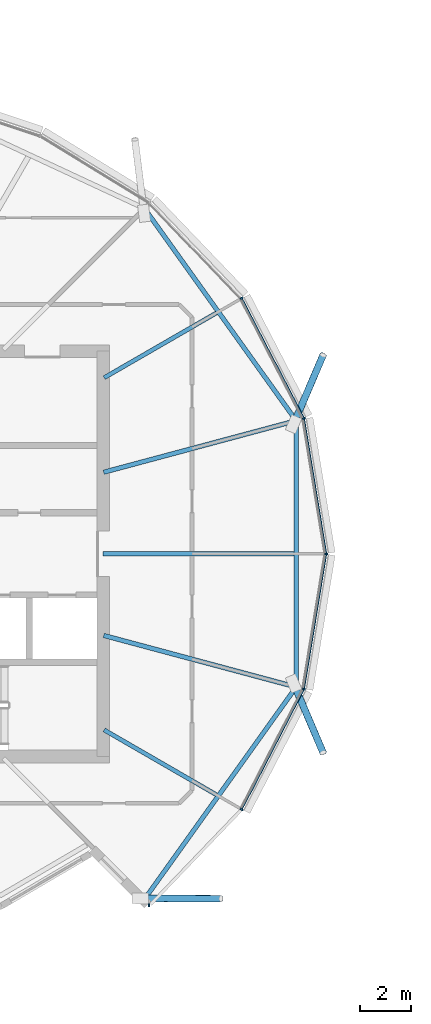
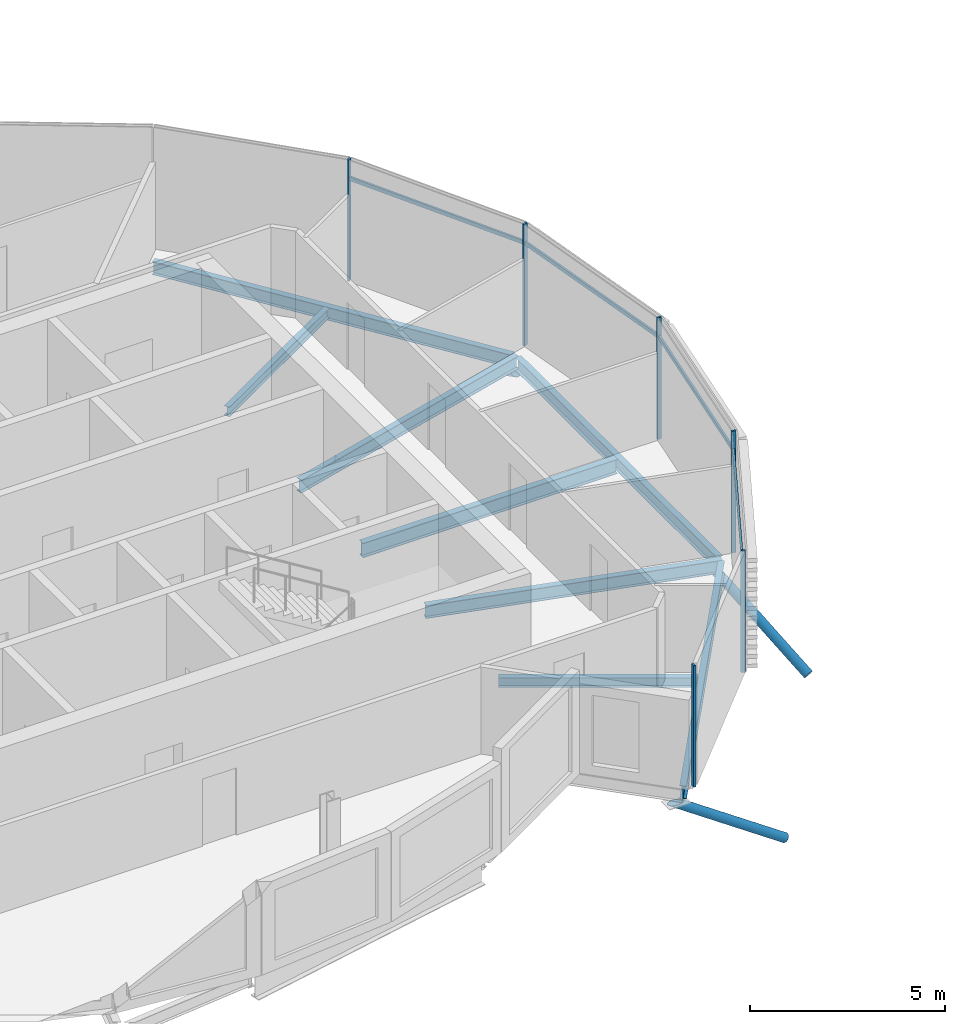
# One storey, part 7 of 35: 13 members, 8 beams, 1 element without a shape of its own.
"""IFC4 building model written with IfcOpenShell, lengths in metres."""

import ifcopenshell
import ifcopenshell.guid

model = None  # the IFC model being written
_history = None  # IfcOwnerHistory: only IFC2X3 demands one
_inside = {}  # id of a spatial element -> (the spatial element, [elements in it])
_under = {}  # id of a project, library or spatial element -> (it, [spatial elements below it])
_declared = {}  # id of a project -> (the project, [libraries it declares])
_typed = {}  # id of a type object -> (the type object, [elements of that type])
_made_of = {}  # id of a material, layer set ... -> (it, [elements and type objects made of it])


def new_model(schema):
    """Start an empty IFC model of exactly this schema.

    Asked for "IFC4X3", IfcOpenShell would pick the latest addendum, in which some entities
    have other attributes; the version numbers below select the first issue.
    IFC2X3 requires an IfcOwnerHistory on every rooted entity: one is made here for all.
    """
    global model, _history
    if schema == "IFC4X3":
        model = ifcopenshell.file(schema_version=(4, 3, 0, 0))
    else:
        model = ifcopenshell.file(schema=schema)
    _inside.clear()
    _under.clear()
    _declared.clear()
    _typed.clear()
    _made_of.clear()
    _history = None
    if model.schema == "IFC2X3":
        org = make("IfcOrganization", Name="unknown")
        user = make(
            "IfcPersonAndOrganization",
            ThePerson=make("IfcPerson", FamilyName="unknown"),
            TheOrganization=org,
        )
        app = make(
            "IfcApplication",
            ApplicationDeveloper=org,
            Version="unknown",
            ApplicationFullName="unknown",
            ApplicationIdentifier="unknown",
        )
        _history = make(
            "IfcOwnerHistory",
            OwningUser=user,
            OwningApplication=app,
            ChangeAction="ADDED",
            CreationDate=0,
        )
    return model


def make(cls, **values):
    """One entity of the class cls with the attributes given. An attribute that is None is left unset."""
    return model.create_entity(
        cls, **{name: value for name, value in values.items() if value is not None}
    )


def rooted(cls, **values):
    """An entity with a GlobalId (a new one), such as an element, a storey or a relation."""
    return make(cls, GlobalId=ifcopenshell.guid.new(), OwnerHistory=_history, **values)


def si_unit(unit_type, name, prefix=None):
    """IfcSIUnit, for example si_unit("LENGTHUNIT", "METRE", prefix="MILLI")."""
    return make("IfcSIUnit", UnitType=unit_type, Prefix=prefix, Name=name)


def assignment(units):
    """IfcUnitAssignment: the units of a project."""
    return None if units is None else make("IfcUnitAssignment", Units=units)


def point(xyz):
    """IfcCartesianPoint."""
    return None if xyz is None else make("IfcCartesianPoint", Coordinates=xyz)


def direction(xyz):
    """IfcDirection."""
    return None if xyz is None else make("IfcDirection", DirectionRatios=xyz)


def frame(location, z_axis=None, x_axis=None):
    """IfcAxis2Placement3D, a coordinate frame: its origin and axes. An axis left out is left unset."""
    return make(
        "IfcAxis2Placement3D",
        Location=point(location),
        Axis=direction(z_axis),
        RefDirection=direction(x_axis),
    )


def frame_2d(location, x_axis=None):
    """IfcAxis2Placement2D, a coordinate frame in the plane: its origin and x axis."""
    return make(
        "IfcAxis2Placement2D", Location=point(location), RefDirection=direction(x_axis)
    )


def origin():
    """The frame at (0, 0, 0) with its axes left unset."""
    return frame((0.0, 0.0, 0.0))


def origin_2d():
    """The frame at (0, 0) in the plane with its x axis left unset."""
    return frame_2d((0.0, 0.0))


def place(relative_to, where):
    """IfcLocalPlacement: puts the frame where relative to a parent placement (None: the world)."""
    return make(
        "IfcLocalPlacement", PlacementRelTo=relative_to, RelativePlacement=where
    )


def context(
    kind, dimensions, precision=None, world=None, true_north=None, identifier=None
):
    """IfcGeometricRepresentationContext, for example the 3D "Model" context."""
    return make(
        "IfcGeometricRepresentationContext",
        ContextIdentifier=identifier,
        ContextType=kind,
        CoordinateSpaceDimension=dimensions,
        Precision=precision,
        WorldCoordinateSystem=world,
        TrueNorth=true_north,
    )


def subcontext(parent, identifier, kind, view, scale=None):
    """IfcGeometricRepresentationSubContext, for example "Body" below "Model"."""
    return make(
        "IfcGeometricRepresentationSubContext",
        ContextIdentifier=identifier,
        ContextType=kind,
        ParentContext=parent,
        TargetScale=scale,
        TargetView=view,
    )


def project(units=None, contexts=None):
    """IfcProject with its units and contexts."""
    return rooted(
        "IfcProject",
        Name="project",
        RepresentationContexts=contexts,
        UnitsInContext=assignment(units),
    )


def spatial(cls, under=None, at=None, **own):
    """A site, building, storey or space (cls), placed at a placement, below another one or the project."""
    s = rooted(cls, ObjectPlacement=at, **own)
    if under is not None:
        _under.setdefault(under.id(), (under, []))[1].append(s)
    return s


def profile(cls, at=None, kind="AREA", **sizes):
    """A parametric profile (cls). Its sizes go by their IFC names, for example OverallWidth=200.0."""
    return make(cls, ProfileType=kind, Position=at, **sizes)


def rectangle(**sizes):
    """IfcRectangleProfileDef."""
    return profile("IfcRectangleProfileDef", **sizes)


def hollow_circle(**sizes):
    """IfcCircleHollowProfileDef."""
    return profile("IfcCircleHollowProfileDef", **sizes)


def i_section(**sizes):
    """IfcIShapeProfileDef."""
    return profile("IfcIShapeProfileDef", **sizes)


def extrude(swept, where, along, depth):
    """IfcExtrudedAreaSolid: the profile swept, set in the frame where, extruded along a direction by depth."""
    return make(
        "IfcExtrudedAreaSolid",
        SweptArea=swept,
        Position=where,
        ExtrudedDirection=direction(along),
        Depth=depth,
    )


def clip(a, b, op="DIFFERENCE"):
    """IfcBooleanClippingResult: the solid a cut by the half space b."""
    return make(
        "IfcBooleanClippingResult", Operator=op, FirstOperand=a, SecondOperand=b
    )


def halfspace(plane, agree):
    """IfcHalfSpaceSolid: all space on one side of the plane z = 0 of the frame plane."""
    return make(
        "IfcHalfSpaceSolid",
        BaseSurface=make("IfcPlane", Position=plane),
        AgreementFlag=agree,
    )


def shape(context_of_items, identifier, shape_type, items):
    """IfcShapeRepresentation: the items that make up one representation, for example the "Body"."""
    return make(
        "IfcShapeRepresentation",
        ContextOfItems=context_of_items,
        RepresentationIdentifier=identifier,
        RepresentationType=shape_type,
        Items=items,
    )


def material(Name=None, Category=None):
    """IfcMaterial."""
    return make("IfcMaterial", Name=Name, Category=Category)


def material_profile(
    of_material, cross_section, Name=None, Category=None, Priority=None
):
    """IfcMaterialProfile: a cross section and its material."""
    return make(
        "IfcMaterialProfile",
        Name=Name,
        Material=of_material,
        Profile=cross_section,
        Priority=Priority,
        Category=Category,
    )


def profile_set(profiles, Name=None, composite=None):
    """IfcMaterialProfileSet."""
    return make(
        "IfcMaterialProfileSet",
        Name=Name,
        MaterialProfiles=profiles,
        CompositeProfile=composite,
    )


def made_of(thing, what):
    """Note that an element or type object is made of a material, layer set ...; save() writes the relation."""
    if what is not None:
        _made_of.setdefault(what.id(), (what, []))[1].append(thing)
    return thing


def type_object(cls, material=None, **own):
    """A type object (cls), such as IfcWallType, which elements share."""
    return made_of(rooted(cls, **own), material)


def element(
    cls,
    number,
    at=None,
    inside=None,
    cuts=None,
    type_object=None,
    material=None,
    context=None,
    identifier="Body",
    shape_type=None,
    held_by="IfcProductDefinitionShape",
    body=None,
    shapes=None,
    **own,
):
    """One element of the class cls, such as IfcWall. Its Tag is "e" and its number.

    at: its placement. inside: the storey or other place that contains it. cuts: it is an
    opening in that element (IfcRelVoidsElement). A single representation is given by context,
    identifier, shape_type and body (its items); several are given by shapes. held_by: the class
    of the entity that holds the representations. save() writes the other relations.
    """
    e = rooted(cls, Tag="e%d" % number, ObjectPlacement=at, **own)
    if body is not None:
        shapes = [shape(context, identifier, shape_type, body)]
    if shapes is not None:
        e.Representation = make(held_by, Representations=shapes)
    if inside is not None:
        _inside.setdefault(inside.id(), (inside, []))[1].append(e)
    if cuts is not None:
        rooted(
            "IfcRelVoidsElement", RelatingBuildingElement=cuts, RelatedOpeningElement=e
        )
    if type_object is not None:
        _typed.setdefault(type_object.id(), (type_object, []))[1].append(e)
    return made_of(e, material)


def aggregate(whole, parts):
    """IfcRelAggregates: a whole, such as a stair, and the parts it consists of."""
    return rooted("IfcRelAggregates", RelatingObject=whole, RelatedObjects=parts)


def save(model, path):
    """Write the relations noted so far, then the file.

    IfcRelAggregates (storeys below a building ...), IfcRelContainedInSpatialStructure (elements
    in a storey), IfcRelDefinesByType, IfcRelAssociatesMaterial and IfcRelDeclares: one each for
    every whole, place, type object, material and project.
    """
    for whole, parts in _under.values():
        aggregate(whole, parts)
    for where, things in _inside.values():
        rooted(
            "IfcRelContainedInSpatialStructure",
            RelatedElements=things,
            RelatingStructure=where,
        )
    for kind, things in _typed.values():
        rooted("IfcRelDefinesByType", RelatedObjects=things, RelatingType=kind)
    for what, things in _made_of.values():
        rooted("IfcRelAssociatesMaterial", RelatedObjects=things, RelatingMaterial=what)
    for by, libraries in _declared.values():
        rooted("IfcRelDeclares", RelatingContext=by, RelatedDefinitions=libraries)
    model.write(path)


model = new_model("IFC4")

# Units and contexts
model_context = context("Model", 3, precision=1e-05, world=origin(), true_north=direction((0.0, 1.0)))
body_context = subcontext(model_context, "Body", "Model", "MODEL_VIEW")
ifc_project = project(units=[si_unit("LENGTHUNIT", "METRE"), si_unit("AREAUNIT", "SQUARE_METRE"), si_unit("VOLUMEUNIT", "CUBIC_METRE"), si_unit("PLANEANGLEUNIT", "RADIAN"), si_unit("MASSUNIT", "GRAM", prefix="KILO")], contexts=[model_context])

# Site, building, storey
site_placement = place(None, origin())
site = spatial("IfcSite", under=ifc_project, at=site_placement, CompositionType="ELEMENT")
building_placement = place(site_placement, origin())
building = spatial("IfcBuilding", under=site, at=building_placement, Name="Rimbun Link Towers", CompositionType="ELEMENT")
storey_placement = place(building_placement, frame((0.0, 0.0, 229.5)))
storey = spatial("IfcBuildingStorey", under=building, at=storey_placement, Name="L56", CompositionType="ELEMENT", Elevation=229.5)

# Curtain wall, members
ifc_material_1 = material(Name="Aluminium 6063-T6 and low-iron glass", Category="aluminium")
curtain_wall_type = type_object("IfcCurtainWallType", Name="CW1-Z4 unitised vision wall (zone 4)", PredefinedType="NOTDEFINED", material=ifc_material_1)
curtain_wall_placement = place(storey_placement, origin())
curtain_wall = element("IfcCurtainWall", 1, at=curtain_wall_placement, inside=storey, type_object=curtain_wall_type, Name="CW1 L56 T1", PredefinedType="NOTDEFINED")
ifc_material_2 = material(Name="Aluminium 6063-T6", Category="aluminium")
ifc_material_profile_1 = material_profile(ifc_material_2, rectangle(XDim=0.1201171875, YDim=0.06005859375, at=origin_2d()), Name="MULLION 60X120")
ifc_profile_set_1 = profile_set([ifc_material_profile_1], Name="Aluminium 6063-T6")
member_type_1 = type_object("IfcMemberType", Name="CW1 mullion 60X120", PredefinedType="MULLION", material=ifc_profile_set_1)
member_1_placement = place(storey_placement, frame((-11.82568359375, 5.34228515625, 0.0), z_axis=(0.0, 0.0, 1.0), x_axis=(0.949161267269, 0.314790229704, 0.0)))
member_1 = element("IfcMember", 2, at=member_1_placement, type_object=member_type_1, Name="CW1 mullion", PredefinedType="MULLION", context=body_context, shape_type="SweptSolid", body=[
    extrude(rectangle(XDim=0.1201171875, YDim=0.06005859375, at=origin_2d()), origin(), (0.0, 0.0, 1.0), 3.800048828125),
])
member_2_placement = place(storey_placement, frame((-10.947265625, 0.0, 0.0), z_axis=(0.0, 0.0, 1.0), x_axis=(1.0, 0.0, 0.0)))
member_2 = element("IfcMember", 3, at=member_2_placement, type_object=member_type_1, Name="CW1 mullion", PredefinedType="MULLION", context=body_context, shape_type="SweptSolid", body=[
    extrude(rectangle(XDim=0.1201171875, YDim=0.06005859375, at=origin_2d()), origin(), (0.0, 0.0, 1.0), 3.800048828125),
])
member_3_placement = place(storey_placement, frame((-14.282958984375, 10.09130859375, 0.0), z_axis=(0.0, 0.0, 1.0), x_axis=(0.813353544339, 0.581769724128, 0.0)))
member_3 = element("IfcMember", 4, at=member_3_placement, type_object=member_type_1, Name="CW1 mullion", PredefinedType="MULLION", context=body_context, shape_type="SweptSolid", body=[
    extrude(rectangle(XDim=0.1201171875, YDim=0.06005859375, at=origin_2d()), origin(), (0.0, 0.0, 1.0), 3.800048828125),
])
member_4_placement = place(storey_placement, frame((-14.282958984375, -10.09130859375, 0.0), z_axis=(0.0, 0.0, 1.0), x_axis=(0.813353544339, -0.581769724128, 0.0)))
member_4 = element("IfcMember", 5, at=member_4_placement, type_object=member_type_1, Name="CW1 mullion", PredefinedType="MULLION", context=body_context, shape_type="SweptSolid", body=[
    extrude(rectangle(XDim=0.1201171875, YDim=0.06005859375, at=origin_2d()), origin(), (0.0, 0.0, 1.0), 3.800048828125),
])
member_5_placement = place(storey_placement, frame((-17.934326171875, -13.875, 0.0), z_axis=(0.0, 0.0, 1.0), x_axis=(0.010539144017, -0.999944461679, 0.0)))
member_5 = element("IfcMember", 6, at=member_5_placement, type_object=member_type_1, Name="CW1 mullion", PredefinedType="MULLION", context=body_context, shape_type="SweptSolid", body=[
    extrude(rectangle(XDim=0.1201171875, YDim=0.06005859375, at=origin_2d()), origin(), (0.0, 0.0, 1.0), 3.800048828125),
])
member_6_placement = place(storey_placement, frame((-11.82568359375, -5.34228515625, 0.0), z_axis=(0.0, 0.0, 1.0), x_axis=(0.949161267269, -0.314790229704, 0.0)))
member_6 = element("IfcMember", 7, at=member_6_placement, type_object=member_type_1, Name="CW1 mullion", PredefinedType="MULLION", context=body_context, shape_type="SweptSolid", body=[
    extrude(rectangle(XDim=0.1201171875, YDim=0.06005859375, at=origin_2d()), origin(), (0.0, 0.0, 1.0), 3.800048828125),
])
ifc_material_3 = material(Name="Aluminium 6063-T6", Category="aluminium")
ifc_material_profile_2 = material_profile(ifc_material_3, rectangle(XDim=0.06005859375, YDim=0.1201171875, at=origin_2d()), Name="TRANSOM 60X120")
ifc_profile_set_2 = profile_set([ifc_material_profile_2], Name="Aluminium 6063-T6")
member_type_2 = type_object("IfcMemberType", Name="CW1 transom 60X120", PredefinedType="USERDEFINED", material=ifc_profile_set_2)
member_7_placement = place(storey_placement, frame((-11.820556640625, 5.30322265625, 3.199951171875), z_axis=(0.162276185326, -0.986745377327, 0.0), x_axis=(0.986745377327, 0.162276185326, 0.0)))
member_7 = element("IfcMember", 8, at=member_7_placement, type_object=member_type_2, Name="CW1 transom", ObjectType="TRANSOM", PredefinedType="USERDEFINED", context=body_context, shape_type="SweptSolid", body=[
    extrude(rectangle(XDim=0.06005859375, YDim=0.1201171875, at=origin_2d()), origin(), (0.0, 0.0, 1.0), 5.3349609375),
])
member_8_placement = place(storey_placement, frame((-14.266357421875, 10.056396484375, 3.199951171875), z_axis=(0.459551487433, -0.888151130381, 0.0), x_axis=(0.888151130381, 0.459551487433, 0.0)))
member_8 = element("IfcMember", 9, at=member_8_placement, type_object=member_type_2, Name="CW1 transom", ObjectType="TRANSOM", PredefinedType="USERDEFINED", context=body_context, shape_type="SweptSolid", body=[
    extrude(rectangle(XDim=0.06005859375, YDim=0.1201171875, at=origin_2d()), origin(), (0.0, 0.0, 1.0), 5.26904296875),
])
member_9_placement = place(storey_placement, frame((-11.844970703125, -5.376708984375, 3.199951171875), z_axis=(-0.459551487433, -0.888151130381, 0.0), x_axis=(0.888151130381, -0.459551487433, 0.0)))
member_9 = element("IfcMember", 10, at=member_9_placement, type_object=member_type_2, Name="CW1 transom", ObjectType="TRANSOM", PredefinedType="USERDEFINED", context=body_context, shape_type="SweptSolid", body=[
    extrude(rectangle(XDim=0.06005859375, YDim=0.1201171875, at=origin_2d()), origin(), (0.0, 0.0, 1.0), 5.26904296875),
])
member_10_placement = place(storey_placement, frame((-10.954833984375, -0.0390625, 3.199951171875), z_axis=(-0.162276185326, -0.986745377327, 0.0), x_axis=(0.986745377327, -0.162276185326, 0.0)))
member_10 = element("IfcMember", 11, at=member_10_placement, type_object=member_type_2, Name="CW1 transom", ObjectType="TRANSOM", PredefinedType="USERDEFINED", context=body_context, shape_type="SweptSolid", body=[
    extrude(rectangle(XDim=0.06005859375, YDim=0.1201171875, at=origin_2d()), origin(), (0.0, 0.0, 1.0), 5.3349609375),
])
aggregate(curtain_wall, [member_1, member_2, member_3, member_4, member_5, member_6, member_7, member_8, member_9, member_10])

# Members
ifc_material_4 = material(Name="Steel S355J2H", Category="steel")
ifc_material_profile_3 = material_profile(ifc_material_4, hollow_circle(Radius=0.136474609375, WallThickness=0.012451171875, at=origin_2d()), Name="CHS 273x12.5")
ifc_profile_set_3 = profile_set([ifc_material_profile_3], Name="Steel S355J2H")
member_type_3 = type_object("IfcMemberType", Name="Floor edge link CHS 273x12.5", PredefinedType="BRACE", material=ifc_profile_set_3)
member_11_placement = place(storey_placement, frame((-12.17822265625, 5.244140625, -0.65966796875), z_axis=(0.326126293426, 0.762553718451, -0.558706960054), x_axis=(-0.91944269556, 0.393224019588, 0.0)))
element("IfcMember", 12, at=member_11_placement, inside=storey, type_object=member_type_3, Name="Floor edge link T1 L56 01", PredefinedType="BRACE", context=body_context, shape_type="Clipping", body=[
    clip(extrude(hollow_circle(Radius=0.136474609375, WallThickness=0.012451171875, at=origin_2d()), frame((0.0, 0.0, -0.423095703125)), (0.0, 0.0, 1.0), 3.84716796875), halfspace(frame((0.0, 0.0, -0.19921875), z_axis=(0.0, 0.829365138396, -0.558706960054)), False)),
])
member_12_placement = place(storey_placement, frame((-18.152099609375, -13.597900390625, -0.658935546875), z_axis=(0.823591851512, -0.004853145167, -0.567162154155), x_axis=(0.005892555763, 0.999982638743, 0.0)))
element("IfcMember", 13, at=member_12_placement, inside=storey, type_object=member_type_3, Name="Floor edge link T1 L56 21", PredefinedType="BRACE", context=body_context, shape_type="Clipping", body=[
    clip(extrude(hollow_circle(Radius=0.136474609375, WallThickness=0.012451171875, at=origin_2d()), frame((0.0, 0.0, -0.4140625)), (0.0, 0.0, 1.0), 4.13671875), halfspace(frame((0.0, 0.0, -0.19482421875), z_axis=(0.0, 0.82360615035, -0.567162154155)), False)),
])
member_13_placement = place(storey_placement, frame((-12.17822265625, -5.244140625, -0.65966796875), z_axis=(0.326126293426, -0.762553718451, -0.558706960054), x_axis=(0.91944269556, 0.393224019588, 0.0)))
element("IfcMember", 14, at=member_13_placement, inside=storey, type_object=member_type_3, Name="Floor edge link T1 L56 23", PredefinedType="BRACE", context=body_context, shape_type="Clipping", body=[
    clip(extrude(hollow_circle(Radius=0.136474609375, WallThickness=0.012451171875, at=origin_2d()), frame((0.0, 0.0, -0.423095703125)), (0.0, 0.0, 1.0), 3.84716796875), halfspace(frame((0.0, 0.0, -0.19921875), z_axis=(0.0, 0.829365138396, -0.558706960054)), False)),
])

# Beams
ifc_material_5 = material(Name="Steel S355J2", Category="steel")
ifc_material_profile_4 = material_profile(ifc_material_5, i_section(OverallWidth=0.1650390625, OverallDepth=0.303466796875, WebThickness=0.006103515625, FlangeThickness=0.01025390625, at=origin_2d()), Name="UB 305x165x40")
ifc_profile_set_4 = profile_set([ifc_material_profile_4], Name="Steel S355J2")
beam_type_1 = type_object("IfcBeamType", Name="UB 305x165x40", PredefinedType="BEAM", material=ifc_profile_set_4)
for number, where, z_axis, x_axis, name in (
    (15, (-19.7080078125, 6.952392578125, -0.291748046875), (0.866016235635, 0.500015879365, 0.0), (-0.500015879365, 0.866016235635, 0.0), "Radial beam T1 L56 02"),
    (16, (-19.7080078125, -6.952392578125, -0.291748046875), (0.866016235635, -0.500015879365, 0.0), (0.500015879365, 0.866016235635, 0.0), "Radial beam T1 L56 22"),
):
    element("IfcBeam", number, at=place(storey_placement, frame(where, z_axis=z_axis, x_axis=x_axis)), inside=storey, type_object=beam_type_1, Name=name, PredefinedType="BEAM", context=body_context, shape_type="SweptSolid", body=[
        extrude(i_section(OverallWidth=0.1650390625, OverallDepth=0.303466796875, WebThickness=0.006103515625, FlangeThickness=0.01025390625, at=origin_2d()), origin(), (0.0, 0.0, 1.0), 5.113525390625),
    ])
ifc_material_6 = material(Name="Steel S355J2", Category="steel")
ifc_material_profile_5 = material_profile(ifc_material_6, i_section(OverallWidth=0.177978515625, OverallDepth=0.406494140625, WebThickness=0.0078125, FlangeThickness=0.0126953125, at=origin_2d()), Name="UB 406x178x60")
ifc_profile_set_5 = profile_set([ifc_material_profile_5], Name="Steel S355J2")
beam_type_2 = type_object("IfcBeamType", Name="UB 406x178x60", PredefinedType="BEAM", material=ifc_profile_set_5)
for number, where, z_axis, x_axis, name in (
    (17, (-19.72607421875, 3.2216796875, -0.34326171875), (0.965925602559, 0.258819880071, 0.0), (-0.258819880071, 0.965925602559, 0.0), "Radial beam T1 L56 01"),
    (18, (-19.72607421875, -3.2216796875, -0.34326171875), (0.965925602559, -0.258819880071, 0.0), (0.258819880071, 0.965925602559, 0.0), "Radial beam T1 L56 23"),
):
    element("IfcBeam", number, at=place(storey_placement, frame(where, z_axis=z_axis, x_axis=x_axis)), inside=storey, type_object=beam_type_2, Name=name, PredefinedType="BEAM", context=body_context, shape_type="SweptSolid", body=[
        extrude(i_section(OverallWidth=0.177978515625, OverallDepth=0.406494140625, WebThickness=0.0078125, FlangeThickness=0.0126953125, at=origin_2d()), origin(), (0.0, 0.0, 1.0), 7.8642578125),
    ])
for number, where, z_axis, x_axis, name in (
    (19, (-12.185791015625, 5.335205078125, -0.34326171875), (-0.581482624507, 0.813558822334, 0.0), (-0.813558822334, -0.581482624507, 0.0), "Edge beam T1 L56 01-03"),
    (20, (-18.063720703125, -13.55908203125, -0.34326171875), (0.581482624507, 0.813558822334, 0.0), (-0.813558822334, 0.581482624507, 0.0), "Edge beam T1 L56 21-23"),
):
    element("IfcBeam", number, at=place(storey_placement, frame(where, z_axis=z_axis, x_axis=x_axis)), inside=storey, type_object=beam_type_2, Name=name, PredefinedType="BEAM", context=body_context, shape_type="SweptSolid", body=[
        extrude(i_section(OverallWidth=0.177978515625, OverallDepth=0.406494140625, WebThickness=0.0078125, FlangeThickness=0.0126953125, at=origin_2d()), origin(), (0.0, 0.0, 1.0), 10.108642578125),
    ])
beam_1_placement = place(storey_placement, frame((-12.1298828125, -5.1640625, -0.34326171875), z_axis=(0.0, 1.0, 0.0), x_axis=(-1.0, 0.0, 0.0)))
element("IfcBeam", 21, at=beam_1_placement, inside=storey, type_object=beam_type_2, Name="Edge beam T1 L56 23-01", PredefinedType="BEAM", context=body_context, shape_type="SweptSolid", body=[
    extrude(i_section(OverallWidth=0.177978515625, OverallDepth=0.406494140625, WebThickness=0.0078125, FlangeThickness=0.0126953125, at=origin_2d()), origin(), (0.0, 0.0, 1.0), 10.328125),
])
ifc_material_7 = material(Name="Steel S355J2", Category="steel")
ifc_material_profile_6 = material_profile(ifc_material_7, i_section(OverallWidth=0.18994140625, OverallDepth=0.453369140625, WebThickness=0.008544921875, FlangeThickness=0.0126953125, at=origin_2d()), Name="UB 457x191x67")
ifc_profile_set_6 = profile_set([ifc_material_profile_6], Name="Steel S355J2")
beam_type_3 = type_object("IfcBeamType", Name="UB 457x191x67", PredefinedType="BEAM", material=ifc_profile_set_6)
beam_2_placement = place(storey_placement, frame((-19.7490234375, 0.0, -0.36669921875), z_axis=(1.0, 0.0, 0.0), x_axis=(0.0, 1.0, 0.0)))
element("IfcBeam", 22, at=beam_2_placement, inside=storey, type_object=beam_type_3, Name="Radial beam T1 L56 00", PredefinedType="BEAM", context=body_context, shape_type="SweptSolid", body=[
    extrude(i_section(OverallWidth=0.18994140625, OverallDepth=0.453369140625, WebThickness=0.008544921875, FlangeThickness=0.0126953125, at=origin_2d()), origin(), (0.0, 0.0, 1.0), 7.529052734375),
])

save(model, "model.ifc")
